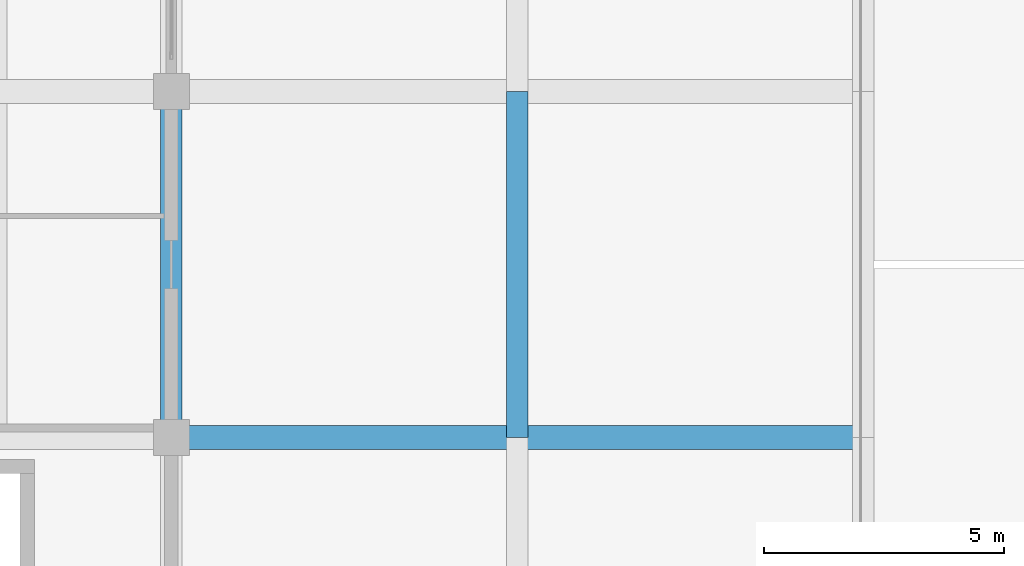
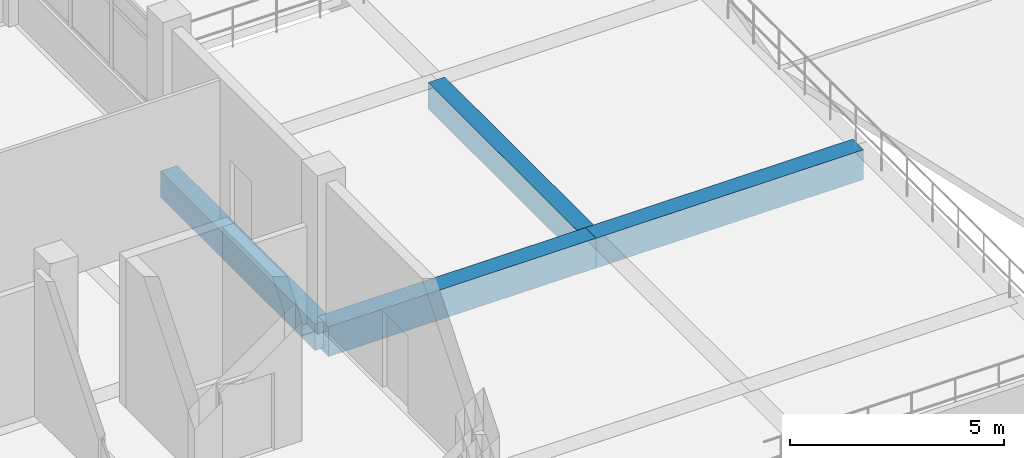
# One storey, part 42 of 141: 4 beams.
"""IFC4 building model written with IfcOpenShell, lengths in metres."""

from ifc_helpers import new_model, si_unit, direction, frame, origin, origin_2d, place, context, subcontext, project, spatial, rectangle, extrude, material, material_profile, profile_set, type_object, element, save


model = new_model("IFC4")

# Units and contexts
model_context = context("Model", 3, precision=1e-05, world=origin(), true_north=direction((0.0, 1.0)))
body_context = subcontext(model_context, "Body", "Model", "MODEL_VIEW")
ifc_project = project(units=[si_unit("LENGTHUNIT", "METRE"), si_unit("AREAUNIT", "SQUARE_METRE"), si_unit("VOLUMEUNIT", "CUBIC_METRE"), si_unit("PLANEANGLEUNIT", "RADIAN"), si_unit("MASSUNIT", "GRAM", prefix="KILO")], contexts=[model_context])

# Site, building, storey
site_placement = place(None, origin())
site = spatial("IfcSite", under=ifc_project, at=site_placement, CompositionType="ELEMENT")
building_placement = place(site_placement, origin())
building = spatial("IfcBuilding", under=site, at=building_placement, Name="Seraya Terrace Polytechnic", CompositionType="ELEMENT")
storey_placement = place(building_placement, frame((0.0, 0.0, 14.39990234375)))
storey = spatial("IfcBuildingStorey", under=building, at=storey_placement, Name="L03", CompositionType="ELEMENT", Elevation=14.39990234375)

# Beams
ifc_material = material(Name="Concrete C40/50", Category="concrete")
ifc_material_profile_1 = material_profile(ifc_material, rectangle(XDim=0.5, YDim=0.85009765625, at=origin_2d()), Name="RC 500x850")
ifc_profile_set_1 = profile_set([ifc_material_profile_1], Name="Concrete C40/50")
beam_type_1 = type_object("IfcBeamType", Name="BM-05", PredefinedType="BEAM", material=ifc_profile_set_1)
beam_1_placement = place(storey_placement, frame((115.199951171875, 14.39990234375, -0.4248046875), z_axis=(1.0, 0.0, 0.0), x_axis=(0.0, 1.0, 0.0)))
element("IfcBeam", 1, at=beam_1_placement, inside=storey, type_object=beam_type_1, Name="Beam BM-05 L03 X (115.2..122.4, 14.4)", PredefinedType="BEAM", context=body_context, shape_type="SweptSolid", body=[
    extrude(rectangle(XDim=0.5, YDim=0.85009765625, at=origin_2d()), origin(), (0.0, 0.0, 1.0), 7.199951171875),
])
beam_2_placement = place(storey_placement, frame((122.39990234375, 14.39990234375, -0.4248046875), z_axis=(1.0, 0.0, 0.0), x_axis=(0.0, 1.0, 0.0)))
element("IfcBeam", 2, at=beam_2_placement, inside=storey, type_object=beam_type_1, Name="Beam BM-05 L03 X (122.4..129.6, 14.4)", PredefinedType="BEAM", context=body_context, shape_type="SweptSolid", body=[
    extrude(rectangle(XDim=0.5, YDim=0.85009765625, at=origin_2d()), origin(), (0.0, 0.0, 1.0), 7.2001953125),
])
ifc_material_profile_2 = material_profile(ifc_material, rectangle(XDim=0.449951171875, YDim=0.75, at=origin_2d()), Name="RC 450x750")
ifc_profile_set_2 = profile_set([ifc_material_profile_2], Name="Concrete C40/50")
beam_type_2 = type_object("IfcBeamType", Name="BM-08", PredefinedType="BEAM", material=ifc_profile_set_2)
for number, where, z_axis, x_axis, name in (
    (3, (115.199951171875, 14.39990234375, -0.375), (0.0, 1.0, 0.0), (-1.0, 0.0, 0.0), "Beam BM-08 L03 Y (115.2, 14.4..21.6)"),
    (4, (122.39990234375, 14.39990234375, -0.375), (0.0, 1.0, 0.0), (-1.0, 0.0, 0.0), "Beam BM-08 L03 Y (122.4, 14.4..21.6)"),
):
    element("IfcBeam", number, at=place(storey_placement, frame(where, z_axis=z_axis, x_axis=x_axis)), inside=storey, type_object=beam_type_2, Name=name, PredefinedType="BEAM", context=body_context, shape_type="SweptSolid", body=[
        extrude(rectangle(XDim=0.449951171875, YDim=0.75, at=origin_2d()), origin(), (0.0, 0.0, 1.0), 7.2001953125),
    ])

save(model, "model.ifc")
